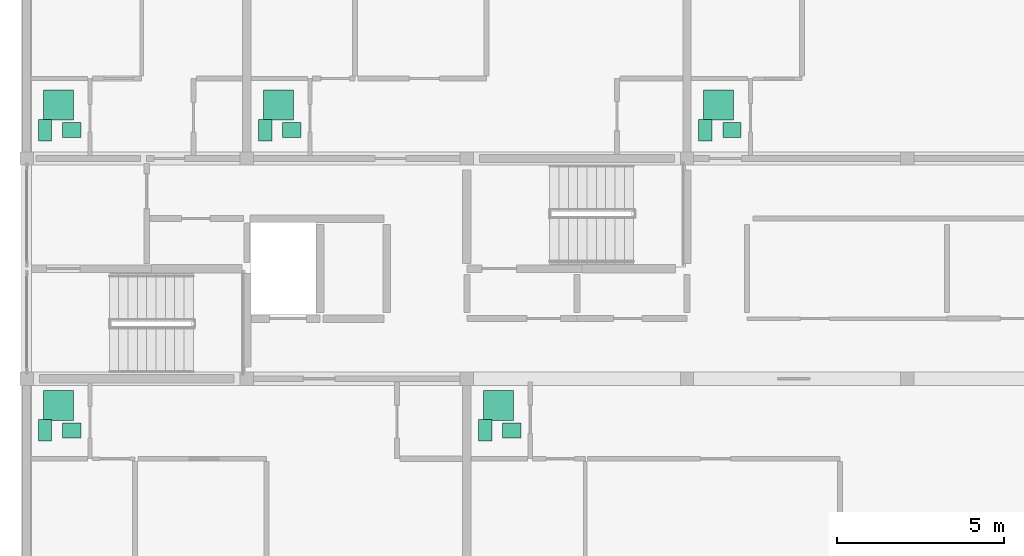
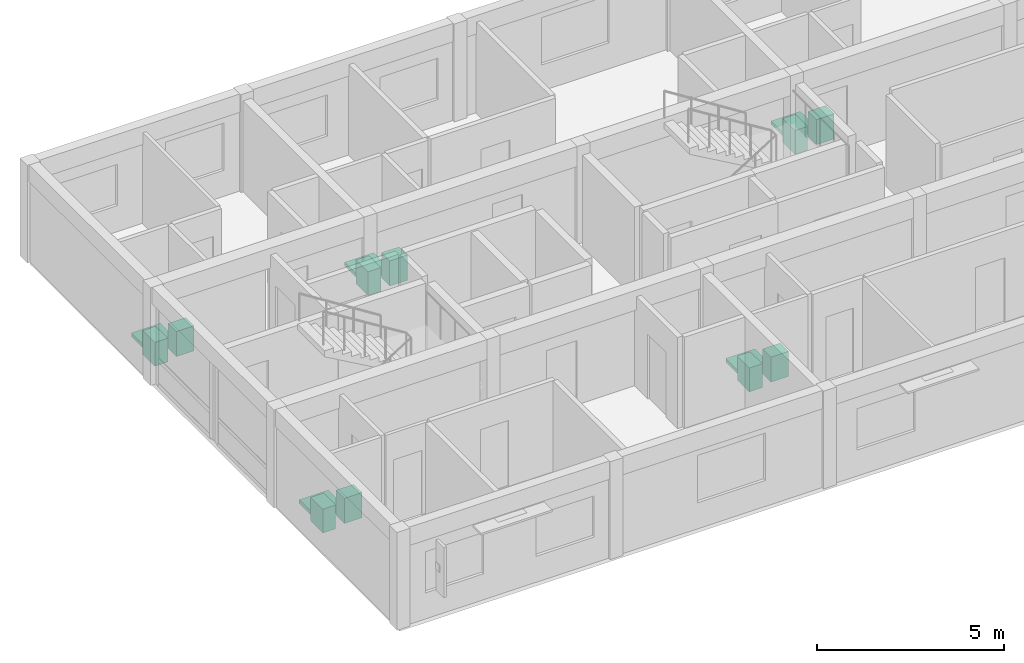
# One storey, part 15 of 15: 15 sanitary terminals.
"""IFC4 building model written with IfcOpenShell, lengths in metres."""

from ifc_helpers import new_model, si_unit, direction, frame, origin, origin_2d, place, context, subcontext, project, spatial, rectangle, extrude, material, type_object, element, save


model = new_model("IFC4")

# Units and contexts
model_context = context("Model", 3, precision=1e-05, world=origin(), true_north=direction((0.0, 1.0)))
body_context = subcontext(model_context, "Body", "Model", "MODEL_VIEW")
ifc_project = project(units=[si_unit("LENGTHUNIT", "METRE"), si_unit("AREAUNIT", "SQUARE_METRE"), si_unit("VOLUMEUNIT", "CUBIC_METRE"), si_unit("PLANEANGLEUNIT", "RADIAN"), si_unit("MASSUNIT", "GRAM", prefix="KILO")], contexts=[model_context])

# Site, building, storey
site_placement = place(None, origin())
site = spatial("IfcSite", under=ifc_project, at=site_placement, CompositionType="ELEMENT")
building_placement = place(site_placement, origin())
building = spatial("IfcBuilding", under=site, at=building_placement, Name="Kernevlak Ridge Housing Community", CompositionType="ELEMENT")
storey_placement = place(building_placement, frame((0.0, 0.0, 50.0)))
storey = spatial("IfcBuildingStorey", under=building, at=storey_placement, Name="L15", CompositionType="ELEMENT", Elevation=50.0)

# Sanitary terminals
ifc_material_1 = material(Name="Vitreous china ceramic")
sanitary_terminal_type_1 = type_object("IfcSanitaryTerminalType", Name="SN-BS", PredefinedType="WASHHANDBASIN", material=ifc_material_1)
for number, where, z_axis, x_axis, name in (
    (1, (16.949951171875, 81.050048828125, 0.0), (0.0, 0.0, 1.0), (1.0, 0.0, 0.0), "Washhand basin 83"),
    (2, (30.14990234375, 81.050048828125, 0.0), (0.0, 0.0, 1.0), (1.0, 0.0, 0.0), "Washhand basin 84"),
    (3, (16.949951171875, 90.050048828125, 0.0), (0.0, 0.0, 1.0), (1.0, 0.0, 0.0), "Washhand basin 85"),
    (4, (23.550048828125, 90.050048828125, 0.0), (0.0, 0.0, 1.0), (1.0, 0.0, 0.0), "Washhand basin 86"),
    (5, (36.75, 90.050048828125, 0.0), (0.0, 0.0, 1.0), (1.0, 0.0, 0.0), "Washhand basin 87"),
):
    element("IfcSanitaryTerminal", number, at=place(storey_placement, frame(where, z_axis=z_axis, x_axis=x_axis)), inside=storey, type_object=sanitary_terminal_type_1, Name=name, PredefinedType="WASHHANDBASIN", context=body_context, shape_type="SweptSolid", body=[
        extrude(rectangle(XDim=0.550048828125, YDim=0.449951171875, at=origin_2d()), origin(), (0.0, 0.0, 1.0), 0.820068359375),
    ])
ifc_material_2 = material(Name="Glazed porcelain ceramic")
sanitary_terminal_type_2 = type_object("IfcSanitaryTerminalType", Name="SN-SH", PredefinedType="SHOWER", material=ifc_material_2)
for number, where, z_axis, x_axis, name in (
    (6, (16.550048828125, 81.800048828125, 0.0), (0.0, 0.0, 1.0), (1.0, 0.0, 0.0), "Shower tray 83"),
    (7, (29.75, 81.800048828125, 0.0), (0.0, 0.0, 1.0), (1.0, 0.0, 0.0), "Shower tray 84"),
    (8, (16.550048828125, 90.800048828125, 0.0), (0.0, 0.0, 1.0), (1.0, 0.0, 0.0), "Shower tray 85"),
    (9, (23.14990234375, 90.800048828125, 0.0), (0.0, 0.0, 1.0), (1.0, 0.0, 0.0), "Shower tray 86"),
    (10, (36.35009765625, 90.800048828125, 0.0), (0.0, 0.0, 1.0), (1.0, 0.0, 0.0), "Shower tray 87"),
):
    element("IfcSanitaryTerminal", number, at=place(storey_placement, frame(where, z_axis=z_axis, x_axis=x_axis)), inside=storey, type_object=sanitary_terminal_type_2, Name=name, PredefinedType="SHOWER", context=body_context, shape_type="SweptSolid", body=[
        extrude(rectangle(XDim=0.89990234375, YDim=0.89990234375, at=origin_2d()), origin(), (0.0, 0.0, 1.0), 0.1201171875),
    ])
sanitary_terminal_type_3 = type_object("IfcSanitaryTerminalType", Name="SN-WC", PredefinedType="TOILETPAN", material=ifc_material_1)
for number, where, z_axis, x_axis, name in (
    (11, (16.14990234375, 81.050048828125, 0.0), (0.0, 0.0, 1.0), (1.0, 0.0, 0.0), "WC pan 83"),
    (12, (29.35009765625, 81.050048828125, 0.0), (0.0, 0.0, 1.0), (1.0, 0.0, 0.0), "WC pan 84"),
    (13, (16.14990234375, 90.050048828125, 0.0), (0.0, 0.0, 1.0), (1.0, 0.0, 0.0), "WC pan 85"),
    (14, (22.75, 90.050048828125, 0.0), (0.0, 0.0, 1.0), (1.0, 0.0, 0.0), "WC pan 86"),
    (15, (35.949951171875, 90.050048828125, 0.0), (0.0, 0.0, 1.0), (1.0, 0.0, 0.0), "WC pan 87"),
):
    element("IfcSanitaryTerminal", number, at=place(storey_placement, frame(where, z_axis=z_axis, x_axis=x_axis)), inside=storey, type_object=sanitary_terminal_type_3, Name=name, PredefinedType="TOILETPAN", context=body_context, shape_type="SweptSolid", body=[
        extrude(rectangle(XDim=0.39990234375, YDim=0.64990234375, at=origin_2d()), origin(), (0.0, 0.0, 1.0), 0.780029296875),
    ])

save(model, "model.ifc")
